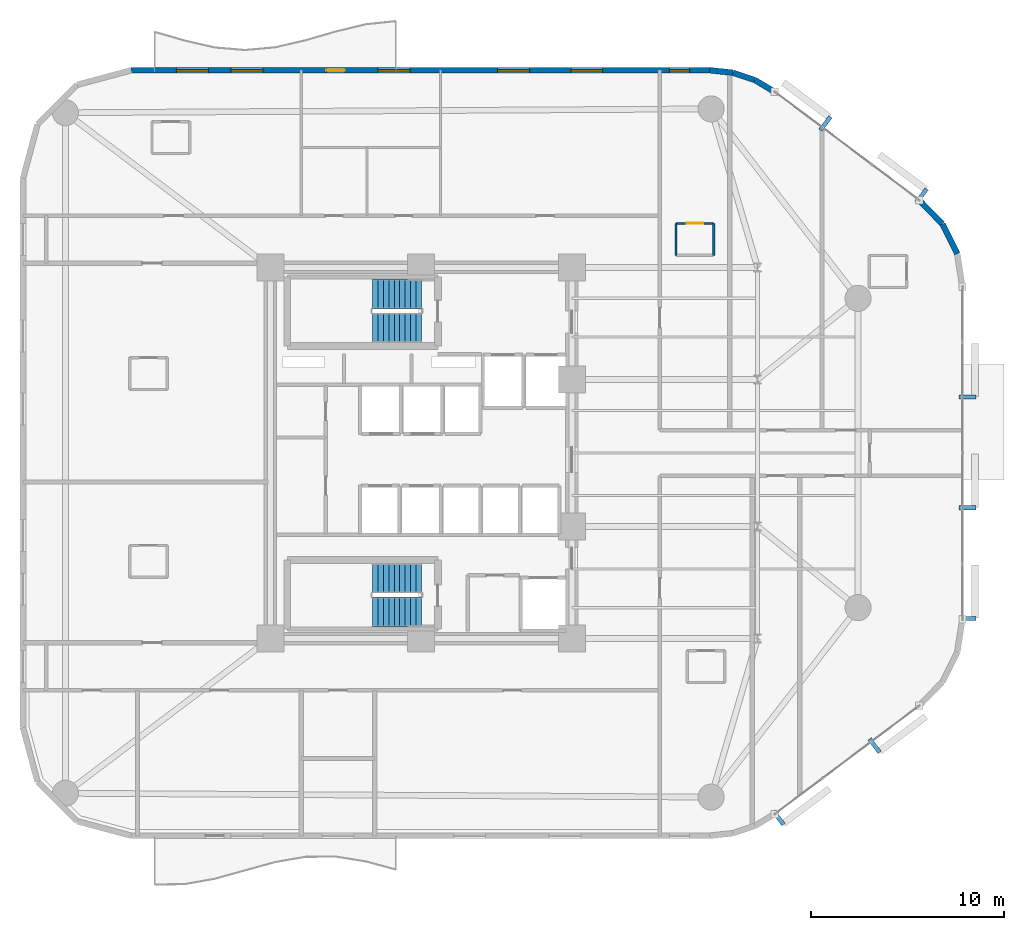
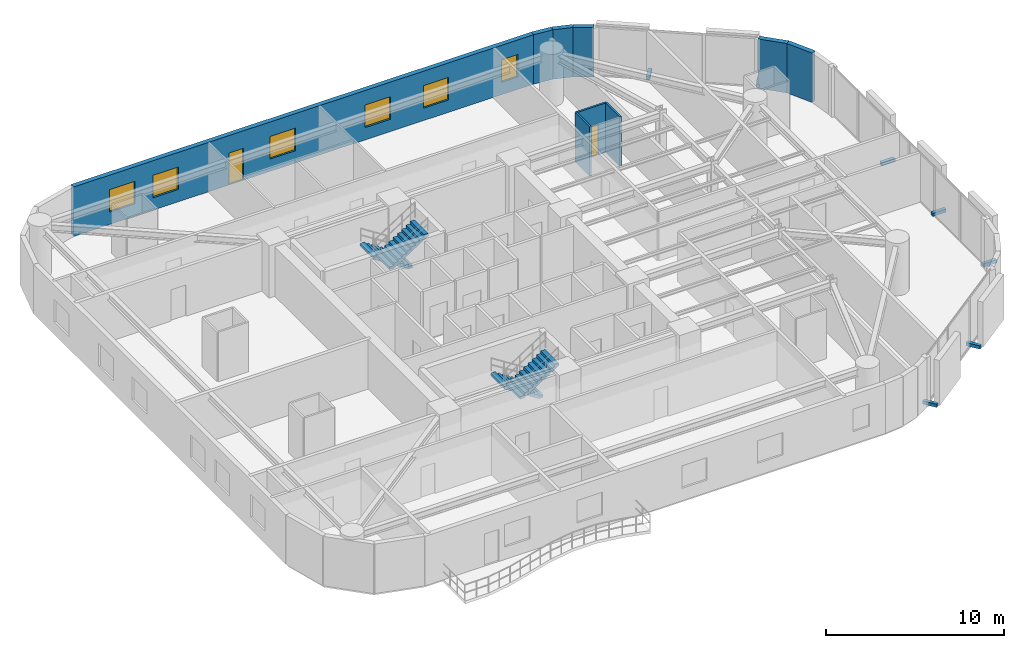
# One storey, part 13 of 16: 9 walls, 7 discrete accessories, 6 windows, 4 stair flights, 2 doors, 8 openings, 2 elements without a shape of their own.
"""IFC4 building model written with IfcOpenShell, lengths in metres."""

from ifc_helpers import new_model, si_unit, direction, frame, frame_2d, origin, origin_2d, place, context, subcontext, project, spatial, polyline, rectangle, outline, extrude, material, layer, layer_set, type_object, element, fill, aggregate, save


model = new_model("IFC4")

# Units and contexts
model_context = context("Model", 3, precision=1e-05, world=origin(), true_north=direction((0.0, 1.0)))
body_context = subcontext(model_context, "Body", "Model", "MODEL_VIEW")
ifc_project = project(units=[si_unit("LENGTHUNIT", "METRE"), si_unit("AREAUNIT", "SQUARE_METRE"), si_unit("VOLUMEUNIT", "CUBIC_METRE"), si_unit("PLANEANGLEUNIT", "RADIAN"), si_unit("MASSUNIT", "GRAM", prefix="KILO")], contexts=[model_context])

# Site, building, storey
site_placement = place(None, origin())
site = spatial("IfcSite", under=ifc_project, at=site_placement, CompositionType="ELEMENT")
building_placement = place(site_placement, origin())
building = spatial("IfcBuilding", under=site, at=building_placement, Name="An Khanh Terracotta Commons", CompositionType="ELEMENT")
storey_placement = place(building_placement, frame((0.0, 0.0, 97.10009765625)))
storey = spatial("IfcBuildingStorey", under=building, at=storey_placement, Name="L25", CompositionType="ELEMENT", Elevation=97.10009765625)

# Walls
ifc_material_1 = material(Name="Precast concrete C40/50", Category="concrete")
ifc_layer_1 = layer(ifc_material_1, 0.300048828125, Name="Precast concrete C40/50")
ifc_layer_set_1 = layer_set([ifc_layer_1], Name="Precast concrete C40/50")
wall_type_1 = type_object("IfcWallType", Name="WALL-EXT-300", PredefinedType="SOLIDWALL", material=ifc_layer_set_1)
for number, where, z_axis, x_axis, name in (
    (1, (57.135009765625, 34.303955078125, 0.0), (0.0, 0.0, 1.0), (-0.4472135955, 0.894427191, 0.0), "L25 Insulated Terracotta Exterior Wall 14"),
    (2, (56.364013671875, 35.845947265625, 0.0), (0.0, 0.0, 1.0), (-0.6983450845, 0.715761233201, 0.0), "L25 Insulated Terracotta Exterior Wall 15"),
):
    element("IfcWall", number, at=place(storey_placement, frame(where, z_axis=z_axis, x_axis=x_axis)), inside=storey, type_object=wall_type_1, Name=name, PredefinedType="SOLIDWALL", context=body_context, shape_type="SweptSolid", body=[
        extrude(rectangle(XDim=1.72412109375, YDim=0.300048828125, at=frame_2d((0.862060546875, 0.0))), origin(), (0.0, 0.0, 1.0), 3.39990234375),
    ])
wall_1_placement = place(storey_placement, frame((47.693115234375, 42.679931640625, 0.0), z_axis=(0.0, 0.0, 1.0), x_axis=(-0.859320591642, 0.511437308749, 0.0)))
element("IfcWall", 3, at=wall_1_placement, inside=storey, type_object=wall_type_1, Name="L25 Insulated Terracotta Exterior Wall 17", PredefinedType="SOLIDWALL", context=body_context, shape_type="SweptSolid", body=[
    extrude(rectangle(XDim=1.19873046875, YDim=0.300048828125, at=frame_2d((0.599365234375, 0.0))), origin(), (0.0, 0.0, 1.0), 3.39990234375),
])
wall_2_placement = place(storey_placement, frame((46.6630859375, 43.29296875, 0.0), z_axis=(0.0, 0.0, 1.0), x_axis=(-0.948744332129, 0.316044604847, 0.0)))
element("IfcWall", 4, at=wall_2_placement, inside=storey, type_object=wall_type_1, Name="L25 Insulated Terracotta Exterior Wall 18", PredefinedType="SOLIDWALL", context=body_context, shape_type="SweptSolid", body=[
    extrude(rectangle(XDim=1.19970703125, YDim=0.300048828125, at=frame_2d((0.599853515625, 0.0))), origin(), (0.0, 0.0, 1.0), 3.39990234375),
])
wall_3_placement = place(storey_placement, frame((45.52490234375, 43.672119140625, 0.0), z_axis=(0.0, 0.0, 1.0), x_axis=(-0.994289103787, 0.106720092254, 0.0)))
element("IfcWall", 5, at=wall_3_placement, inside=storey, type_object=wall_type_1, Name="L25 Insulated Terracotta Exterior Wall 19", PredefinedType="SOLIDWALL", context=body_context, shape_type="SweptSolid", body=[
    extrude(rectangle(XDim=1.19873046875, YDim=0.300048828125, at=frame_2d((0.599365234375, 0.0))), origin(), (0.0, 0.0, 1.0), 3.39990234375),
])

# Wall, openings, door, windows
wall_4_placement = place(storey_placement, frame((44.3330078125, 43.800048828125, 0.0), z_axis=(0.0, 0.0, 1.0), x_axis=(-1.0, 0.0, 0.0)))
wall_4 = element("IfcWall", 6, at=wall_4_placement, inside=storey, type_object=wall_type_1, Name="L25 Insulated Terracotta Exterior Wall 20", PredefinedType="SOLIDWALL", context=body_context, shape_type="SweptSolid", body=[
    extrude(rectangle(XDim=29.93310546875, YDim=0.300048828125, at=frame_2d((14.966552734375, 0.0))), origin(), (0.0, 0.0, 1.0), 3.39990234375),
])
opening_1_placement = place(wall_4_placement, frame((18.883056640625, 0.0, 0.0)))
opening_1 = element("IfcOpeningElement", 7, at=opening_1_placement, cuts=wall_4, Name="Opening D-BAL", PredefinedType="OPENING", context=body_context, shape_type="SweptSolid", body=[
    extrude(rectangle(XDim=0.949951171875, YDim=2.199951171875, at=frame_2d((0.47509765625, 1.10009765625))), frame((0.0, 0.159912109375, 0.0), z_axis=(0.0, -1.0, 0.0), x_axis=(1.0, 0.0, 0.0)), (0.0, 0.0, 1.0), 0.320068359375),
])
opening_2_placement = place(wall_4_placement, frame((5.541015625, 0.0, 0.85009765625)))
opening_2 = element("IfcOpeningElement", 8, at=opening_2_placement, cuts=wall_4, Name="Opening W-02", PredefinedType="OPENING", context=body_context, shape_type="SweptSolid", body=[
    extrude(rectangle(XDim=1.64990234375, YDim=1.550048828125, at=frame_2d((0.824951171875, 0.77490234375))), frame((0.0, 0.159912109375, 0.0), z_axis=(0.0, -1.0, 0.0), x_axis=(1.0, 0.0, 0.0)), (0.0, 0.0, 1.0), 0.320068359375),
])
opening_3_placement = place(wall_4_placement, frame((9.324951171875, 0.0, 0.85009765625)))
opening_3 = element("IfcOpeningElement", 9, at=opening_3_placement, cuts=wall_4, Name="Opening W-02", PredefinedType="OPENING", context=body_context, shape_type="SweptSolid", body=[
    extrude(rectangle(XDim=1.64990234375, YDim=1.550048828125, at=frame_2d((0.824951171875, 0.77490234375))), frame((0.0, 0.159912109375, 0.0), z_axis=(0.0, -1.0, 0.0), x_axis=(1.0, 0.0, 0.0)), (0.0, 0.0, 1.0), 0.320068359375),
])
opening_4_placement = place(wall_4_placement, frame((15.508056640625, 0.0, 0.85009765625)))
opening_4 = element("IfcOpeningElement", 10, at=opening_4_placement, cuts=wall_4, Name="Opening W-02", PredefinedType="OPENING", context=body_context, shape_type="SweptSolid", body=[
    extrude(rectangle(XDim=1.64990234375, YDim=1.550048828125, at=frame_2d((0.824951171875, 0.77490234375))), frame((0.0, 0.159912109375, 0.0), z_axis=(0.0, -1.0, 0.0), x_axis=(1.0, 0.0, 0.0)), (0.0, 0.0, 1.0), 0.320068359375),
])
opening_5_placement = place(wall_4_placement, frame((23.125, 0.0, 0.85009765625)))
opening_5 = element("IfcOpeningElement", 11, at=opening_5_placement, cuts=wall_4, Name="Opening W-02", PredefinedType="OPENING", context=body_context, shape_type="SweptSolid", body=[
    extrude(rectangle(XDim=1.64990234375, YDim=1.550048828125, at=frame_2d((0.824951171875, 0.77490234375))), frame((0.0, 0.159912109375, 0.0), z_axis=(0.0, -1.0, 0.0), x_axis=(1.0, 0.0, 0.0)), (0.0, 0.0, 1.0), 0.320068359375),
])
opening_6_placement = place(wall_4_placement, frame((25.94091796875, 0.0, 0.85009765625)))
opening_6 = element("IfcOpeningElement", 12, at=opening_6_placement, cuts=wall_4, Name="Opening W-02", PredefinedType="OPENING", context=body_context, shape_type="SweptSolid", body=[
    extrude(rectangle(XDim=1.64990234375, YDim=1.550048828125, at=frame_2d((0.824951171875, 0.77490234375))), frame((0.0, 0.159912109375, 0.0), z_axis=(0.0, -1.0, 0.0), x_axis=(1.0, 0.0, 0.0)), (0.0, 0.0, 1.0), 0.320068359375),
])
opening_7_placement = place(wall_4_placement, frame((1.047119140625, 0.0, 0.85009765625)))
opening_7 = element("IfcOpeningElement", 13, at=opening_7_placement, cuts=wall_4, Name="Opening W-06", PredefinedType="OPENING", context=body_context, shape_type="SweptSolid", body=[
    extrude(rectangle(XDim=1.050048828125, YDim=1.550048828125, at=frame_2d((0.52490234375, 0.77490234375))), frame((0.0, 0.159912109375, 0.0), z_axis=(0.0, -1.0, 0.0), x_axis=(1.0, 0.0, 0.0)), (0.0, 0.0, 1.0), 0.320068359375),
])
ifc_material_2 = material(Name="Thermally Broken Aluminium and Low-E Glass", Category="aluminium")
door_type_1 = type_object("IfcDoorType", Name="DOOR-BALC-950", OperationType="NOTDEFINED", PredefinedType="DOOR", material=ifc_material_2)
door_1_placement = place(opening_1_placement, origin())
door_1 = element("IfcDoor", 14, at=door_1_placement, inside=storey, type_object=door_type_1, Name="L25 N Wave Balcony Glazed Door", OperationType="SINGLE_SWING_RIGHT", OverallHeight=2.199951171875, OverallWidth=0.949951171875, PredefinedType="DOOR", context=body_context, shape_type="SweptSolid", body=[
    extrude(rectangle(XDim=0.949951171875, YDim=2.199951171875, at=frame_2d((0.47509765625, 1.10009765625))), frame((0.0, 0.02490234375, 0.0), z_axis=(0.0, -1.0, 0.0), x_axis=(1.0, 0.0, 0.0)), (0.0, 0.0, 1.0), 0.050048828125),
])
fill(opening_1, door_1)
window_type_1 = type_object("IfcWindowType", Name="WIN-COR-1050x1550", PartitioningType="SINGLE_PANEL", PredefinedType="WINDOW", material=ifc_material_2)
window_1_placement = place(opening_7_placement, origin())
window_1 = element("IfcWindow", 15, at=window_1_placement, inside=storey, type_object=window_type_1, Name="L25 L25-NB1 Dwelling Casement Window", OverallHeight=1.550048828125, OverallWidth=1.050048828125, PartitioningType="SINGLE_PANEL", PredefinedType="WINDOW", context=body_context, shape_type="SweptSolid", body=[
    extrude(rectangle(XDim=1.050048828125, YDim=1.550048828125, at=frame_2d((0.52490234375, 0.77490234375))), frame((0.0, 0.030029296875, 0.0), z_axis=(0.0, -1.0, 0.0), x_axis=(1.0, 0.0, 0.0)), (0.0, 0.0, 1.0), 0.06005859375),
])
fill(opening_7, window_1)
window_type_2 = type_object("IfcWindowType", Name="WIN-Z2-1650x1550", PartitioningType="DOUBLE_PANEL_VERTICAL", PredefinedType="WINDOW", material=ifc_material_2)
window_2_placement = place(opening_2_placement, origin())
window_2 = element("IfcWindow", 16, at=window_2_placement, inside=storey, type_object=window_type_2, Name="L25 Operable Casement Window 20.1", OverallHeight=1.550048828125, OverallWidth=1.64990234375, PartitioningType="DOUBLE_PANEL_VERTICAL", PredefinedType="WINDOW", context=body_context, shape_type="SweptSolid", body=[
    extrude(rectangle(XDim=1.64990234375, YDim=1.550048828125, at=frame_2d((0.824951171875, 0.77490234375))), frame((0.0, 0.030029296875, 0.0), z_axis=(0.0, -1.0, 0.0), x_axis=(1.0, 0.0, 0.0)), (0.0, 0.0, 1.0), 0.06005859375),
])
fill(opening_2, window_2)
window_3_placement = place(opening_3_placement, origin())
window_3 = element("IfcWindow", 17, at=window_3_placement, inside=storey, type_object=window_type_2, Name="L25 Operable Casement Window 20.2", OverallHeight=1.550048828125, OverallWidth=1.64990234375, PartitioningType="DOUBLE_PANEL_VERTICAL", PredefinedType="WINDOW", context=body_context, shape_type="SweptSolid", body=[
    extrude(rectangle(XDim=1.64990234375, YDim=1.550048828125, at=frame_2d((0.824951171875, 0.77490234375))), frame((0.0, 0.030029296875, 0.0), z_axis=(0.0, -1.0, 0.0), x_axis=(1.0, 0.0, 0.0)), (0.0, 0.0, 1.0), 0.06005859375),
])
fill(opening_3, window_3)
window_4_placement = place(opening_4_placement, origin())
window_4 = element("IfcWindow", 18, at=window_4_placement, inside=storey, type_object=window_type_2, Name="L25 Operable Casement Window 20.3", OverallHeight=1.550048828125, OverallWidth=1.64990234375, PartitioningType="DOUBLE_PANEL_VERTICAL", PredefinedType="WINDOW", context=body_context, shape_type="SweptSolid", body=[
    extrude(rectangle(XDim=1.64990234375, YDim=1.550048828125, at=frame_2d((0.824951171875, 0.77490234375))), frame((0.0, 0.030029296875, 0.0), z_axis=(0.0, -1.0, 0.0), x_axis=(1.0, 0.0, 0.0)), (0.0, 0.0, 1.0), 0.06005859375),
])
fill(opening_4, window_4)
window_5_placement = place(opening_5_placement, origin())
window_5 = element("IfcWindow", 19, at=window_5_placement, inside=storey, type_object=window_type_2, Name="L25 Operable Casement Window 20.4", OverallHeight=1.550048828125, OverallWidth=1.64990234375, PartitioningType="DOUBLE_PANEL_VERTICAL", PredefinedType="WINDOW", context=body_context, shape_type="SweptSolid", body=[
    extrude(rectangle(XDim=1.64990234375, YDim=1.550048828125, at=frame_2d((0.824951171875, 0.77490234375))), frame((0.0, 0.030029296875, 0.0), z_axis=(0.0, -1.0, 0.0), x_axis=(1.0, 0.0, 0.0)), (0.0, 0.0, 1.0), 0.06005859375),
])
fill(opening_5, window_5)
window_6_placement = place(opening_6_placement, origin())
window_6 = element("IfcWindow", 20, at=window_6_placement, inside=storey, type_object=window_type_2, Name="L25 Operable Casement Window 20.5", OverallHeight=1.550048828125, OverallWidth=1.64990234375, PartitioningType="DOUBLE_PANEL_VERTICAL", PredefinedType="WINDOW", context=body_context, shape_type="SweptSolid", body=[
    extrude(rectangle(XDim=1.64990234375, YDim=1.550048828125, at=frame_2d((0.824951171875, 0.77490234375))), frame((0.0, 0.030029296875, 0.0), z_axis=(0.0, -1.0, 0.0), x_axis=(1.0, 0.0, 0.0)), (0.0, 0.0, 1.0), 0.06005859375),
])
fill(opening_6, window_6)

# Wall, opening, door
ifc_material_3 = material(Name="Moisture-Resistant Cement Board Partition")
ifc_layer_2 = layer(ifc_material_3, 0.1201171875, Name="Moisture-Resistant Cement Board Partition")
ifc_layer_set_2 = layer_set([ifc_layer_2], Name="Moisture-Resistant Cement Board Partition")
wall_type_2 = type_object("IfcWallType", Name="WALL-WET-120", PredefinedType="PARTITIONING", material=ifc_layer_set_2)
wall_5_placement = place(storey_placement, frame((42.5830078125, 35.875, 0.0), z_axis=(0.0, 0.0, 1.0), x_axis=(1.0, 0.0, 0.0)))
wall_5 = element("IfcWall", 21, at=wall_5_placement, inside=storey, type_object=wall_type_2, Name="L25 Interior Partition IW-L25-NB1-BN", PredefinedType="PARTITIONING", context=body_context, shape_type="SweptSolid", body=[
    extrude(rectangle(XDim=1.949951171875, YDim=0.1201171875, at=frame_2d((0.97509765625, 0.0))), origin(), (0.0, 0.0, 1.0), 3.39990234375),
])
opening_8_placement = place(wall_5_placement, frame((0.544921875, 0.0, 0.0)))
opening_8 = element("IfcOpeningElement", 22, at=opening_8_placement, cuts=wall_5, Name="Opening D-ENS", PredefinedType="OPENING", context=body_context, shape_type="SweptSolid", body=[
    extrude(rectangle(XDim=0.860107421875, YDim=2.10009765625, at=frame_2d((0.43017578125, 1.050048828125))), frame((0.0, 0.070068359375, 0.0), z_axis=(0.0, -1.0, 0.0), x_axis=(1.0, 0.0, 0.0)), (0.0, 0.0, 1.0), 0.14013671875),
])
ifc_material_4 = material(Name="Moisture-Resistant Hardwood Timber Leaf", Category="wood")
door_type_2 = type_object("IfcDoorType", Name="DOOR-BATH-860", OperationType="NOTDEFINED", PredefinedType="DOOR", material=ifc_material_4)
door_2_placement = place(opening_8_placement, origin())
door_2 = element("IfcDoor", 23, at=door_2_placement, inside=storey, type_object=door_type_2, Name="L25 Studio NB1 En-suite Door", OperationType="SINGLE_SWING_LEFT", OverallHeight=2.10009765625, OverallWidth=0.860107421875, PredefinedType="DOOR", context=body_context, shape_type="SweptSolid", body=[
    extrude(rectangle(XDim=0.860107421875, YDim=2.10009765625, at=frame_2d((0.43017578125, 1.050048828125))), frame((0.0, 0.02490234375, 0.0), z_axis=(0.0, -1.0, 0.0), x_axis=(1.0, 0.0, 0.0)), (0.0, 0.0, 1.0), 0.050048828125),
])
fill(opening_8, door_2)

# Walls
for number, where, z_axis, x_axis, name in (
    (24, (42.5830078125, 35.875, 0.0), (0.0, 0.0, 1.0), (0.0, -1.0, 0.0), "L25 Interior Partition IW-L25-NB1-BW"),
    (25, (44.532958984375, 34.22509765625, 0.0), (0.0, 0.0, 1.0), (0.0, 1.0, 0.0), "L25 Interior Partition IW-L25-NB1-BE"),
):
    element("IfcWall", number, at=place(storey_placement, frame(where, z_axis=z_axis, x_axis=x_axis)), inside=storey, type_object=wall_type_2, Name=name, PredefinedType="PARTITIONING", context=body_context, shape_type="SweptSolid", body=[
        extrude(rectangle(XDim=1.64990234375, YDim=0.1201171875, at=frame_2d((0.824951171875, 0.0))), origin(), (0.0, 0.0, 1.0), 3.39990234375),
    ])

# Stair, stair flights
stair_type = type_object("IfcStairType", Name="STAIR-CORE-1550", PredefinedType="HALF_TURN_STAIR", material=ifc_material_1)
stair_1_placement = place(storey_placement, origin())
stair_1 = element("IfcStair", 26, at=stair_1_placement, inside=storey, type_object=stair_type, Name="L25 Core Smokeproof Exit Stair ST-01", PredefinedType="HALF_TURN_STAIR")
stair_flight_type = type_object("IfcStairFlightType", Name="FLIGHT-CORE-1550", PredefinedType="STRAIGHT", material=ifc_material_1)
stair_flight_1_placement = place(storey_placement, frame((29.409912109375, 32.22509765625, 0.0), z_axis=(0.0, 0.0, 1.0), x_axis=(-1.0, 0.0, 0.0)))
stair_flight_1 = element("IfcStairFlight", 27, at=stair_flight_1_placement, type_object=stair_flight_type, Name="ST-01 flight 1", NumberOfRisers=10, NumberOfTreads=9, PredefinedType="STRAIGHT", RiserHeight=0.18, TreadLength=0.28, context=body_context, shape_type="SweptSolid", body=[
    extrude(outline(polyline([(0.0, 0.0), (0.0, 0.179931640625), (0.280029296875, 0.179931640625), (0.280029296875, 0.360107421875), (0.56005859375, 0.360107421875), (0.56005859375, 0.5400390625), (0.840087890625, 0.5400390625), (0.840087890625, 0.719970703125), (1.1201171875, 0.719970703125), (1.1201171875, 0.89990234375), (1.39990234375, 0.89990234375), (1.39990234375, 1.080078125), (1.679931640625, 1.080078125), (1.679931640625, 1.260009765625), (1.9599609375, 1.260009765625), (1.9599609375, 1.43994140625), (2.239990234375, 1.43994140625), (2.239990234375, 1.6201171875), (2.52001953125, 1.6201171875), (2.52001953125, 1.800048828125), (2.52001953125, 1.44189453125), (0.277099609375, 0.0), (0.0, 0.0)])), frame((0.0, 0.77490234375, 0.0), z_axis=(0.0, -1.0, 0.0), x_axis=(1.0, 0.0, 0.0)), (0.0, 0.0, 1.0), 1.550048828125),
])
stair_flight_2_placement = place(storey_placement, frame((26.889892578125, 30.47509765625, 1.7998046875), z_axis=(0.0, 0.0, 1.0), x_axis=(1.0, 0.0, 0.0)))
stair_flight_2 = element("IfcStairFlight", 28, at=stair_flight_2_placement, type_object=stair_flight_type, Name="ST-01 flight 2", NumberOfRisers=10, NumberOfTreads=9, PredefinedType="STRAIGHT", RiserHeight=0.18, TreadLength=0.28, context=body_context, shape_type="SweptSolid", body=[
    extrude(outline(polyline([(0.0, 0.0), (0.0, 0.179931640625), (0.280029296875, 0.179931640625), (0.280029296875, 0.360107421875), (0.56005859375, 0.360107421875), (0.56005859375, 0.5400390625), (0.840087890625, 0.5400390625), (0.840087890625, 0.719970703125), (1.1201171875, 0.719970703125), (1.1201171875, 0.89990234375), (1.39990234375, 0.89990234375), (1.39990234375, 1.080078125), (1.679931640625, 1.080078125), (1.679931640625, 1.260009765625), (1.9599609375, 1.260009765625), (1.9599609375, 1.43994140625), (2.239990234375, 1.43994140625), (2.239990234375, 1.6201171875), (2.52001953125, 1.6201171875), (2.52001953125, 1.800048828125), (2.52001953125, 1.44189453125), (0.277099609375, 0.0), (0.0, 0.0)])), frame((0.0, 0.77490234375, 0.0), z_axis=(0.0, -1.0, 0.0), x_axis=(1.0, 0.0, 0.0)), (0.0, 0.0, 1.0), 1.550048828125),
])
aggregate(stair_1, [stair_flight_1, stair_flight_2])

stair_2_placement = place(storey_placement, origin())
stair_2 = element("IfcStair", 29, at=stair_2_placement, inside=storey, type_object=stair_type, Name="L25 Core Smokeproof Exit Stair ST-02", PredefinedType="HALF_TURN_STAIR")
stair_flight_3_placement = place(storey_placement, frame((29.409912109375, 17.52490234375, 0.0), z_axis=(0.0, 0.0, 1.0), x_axis=(-1.0, 0.0, 0.0)))
stair_flight_3 = element("IfcStairFlight", 30, at=stair_flight_3_placement, type_object=stair_flight_type, Name="ST-02 flight 1", NumberOfRisers=10, NumberOfTreads=9, PredefinedType="STRAIGHT", RiserHeight=0.18, TreadLength=0.28, context=body_context, shape_type="SweptSolid", body=[
    extrude(outline(polyline([(0.0, 0.0), (0.0, 0.179931640625), (0.280029296875, 0.179931640625), (0.280029296875, 0.360107421875), (0.56005859375, 0.360107421875), (0.56005859375, 0.5400390625), (0.840087890625, 0.5400390625), (0.840087890625, 0.719970703125), (1.1201171875, 0.719970703125), (1.1201171875, 0.89990234375), (1.39990234375, 0.89990234375), (1.39990234375, 1.080078125), (1.679931640625, 1.080078125), (1.679931640625, 1.260009765625), (1.9599609375, 1.260009765625), (1.9599609375, 1.43994140625), (2.239990234375, 1.43994140625), (2.239990234375, 1.6201171875), (2.52001953125, 1.6201171875), (2.52001953125, 1.800048828125), (2.52001953125, 1.44189453125), (0.277099609375, 0.0), (0.0, 0.0)])), frame((0.0, 0.77490234375, 0.0), z_axis=(0.0, -1.0, 0.0), x_axis=(1.0, 0.0, 0.0)), (0.0, 0.0, 1.0), 1.550048828125),
])
stair_flight_4_placement = place(storey_placement, frame((26.889892578125, 15.77490234375, 1.7998046875), z_axis=(0.0, 0.0, 1.0), x_axis=(1.0, 0.0, 0.0)))
stair_flight_4 = element("IfcStairFlight", 31, at=stair_flight_4_placement, type_object=stair_flight_type, Name="ST-02 flight 2", NumberOfRisers=10, NumberOfTreads=9, PredefinedType="STRAIGHT", RiserHeight=0.18, TreadLength=0.28, context=body_context, shape_type="SweptSolid", body=[
    extrude(outline(polyline([(0.0, 0.0), (0.0, 0.179931640625), (0.280029296875, 0.179931640625), (0.280029296875, 0.360107421875), (0.56005859375, 0.360107421875), (0.56005859375, 0.5400390625), (0.840087890625, 0.5400390625), (0.840087890625, 0.719970703125), (1.1201171875, 0.719970703125), (1.1201171875, 0.89990234375), (1.39990234375, 0.89990234375), (1.39990234375, 1.080078125), (1.679931640625, 1.080078125), (1.679931640625, 1.260009765625), (1.9599609375, 1.260009765625), (1.9599609375, 1.43994140625), (2.239990234375, 1.43994140625), (2.239990234375, 1.6201171875), (2.52001953125, 1.6201171875), (2.52001953125, 1.800048828125), (2.52001953125, 1.44189453125), (0.277099609375, 0.0), (0.0, 0.0)])), frame((0.0, 0.77490234375, 0.0), z_axis=(0.0, -1.0, 0.0), x_axis=(1.0, 0.0, 0.0)), (0.0, 0.0, 1.0), 1.550048828125),
])
aggregate(stair_2, [stair_flight_3, stair_flight_4])

# Discrete accessories
ifc_material_5 = material(Name="Stainless Steel Grade 316L", Category="steel")
discrete_accessory_type = type_object("IfcDiscreteAccessoryType", Name="Stainless Outrigger Facade Bracket", PredefinedType="BRACKET", material=ifc_material_5)
for number, where, z_axis, x_axis, name in (
    (32, (47.8798828125, 5.12890625, 0.06982421875), (0.0, 0.0, 1.0), (0.800012856594, 0.599982857492, 0.0), "L25 Terracotta Screen Outrigger Bracket 1"),
    (33, (52.85791015625, 8.862060546875, 0.06982421875), (0.0, 0.0, 1.0), (0.800012856594, 0.599982857492, 0.0), "L25 Terracotta Screen Outrigger Bracket 3"),
    (34, (57.6650390625, 15.43505859375, 0.06982421875), (0.0, 0.0, 1.0), (0.0, 1.0, 0.0), "L25 Terracotta Screen Outrigger Bracket 1"),
    (35, (57.6650390625, 21.16796875, 0.06982421875), (0.0, 0.0, 1.0), (0.0, 1.0, 0.0), "L25 Terracotta Screen Outrigger Bracket 3"),
    (36, (57.6650390625, 26.902099609375, 0.06982421875), (0.0, 0.0, 1.0), (0.0, 1.0, 0.0), "L25 Terracotta Screen Outrigger Bracket 5"),
    (37, (55.291015625, 37.31298828125, 0.06982421875), (0.0, 0.0, 1.0), (-0.800012856594, 0.599982857492, 0.0), "L25 Terracotta Screen Outrigger Bracket 1"),
    (38, (50.31298828125, 41.0458984375, 0.06982421875), (0.0, 0.0, 1.0), (-0.800012856594, 0.599982857492, 0.0), "L25 Terracotta Screen Outrigger Bracket 3"),
):
    element("IfcDiscreteAccessory", number, at=place(storey_placement, frame(where, z_axis=z_axis, x_axis=x_axis)), inside=storey, type_object=discrete_accessory_type, Name=name, PredefinedType="BRACKET", context=body_context, shape_type="SweptSolid", body=[
        extrude(rectangle(XDim=0.219970703125, YDim=0.8701171875, at=origin_2d()), origin(), (0.0, 0.0, 1.0), 0.219970703125),
    ])

save(model, "model.ifc")
